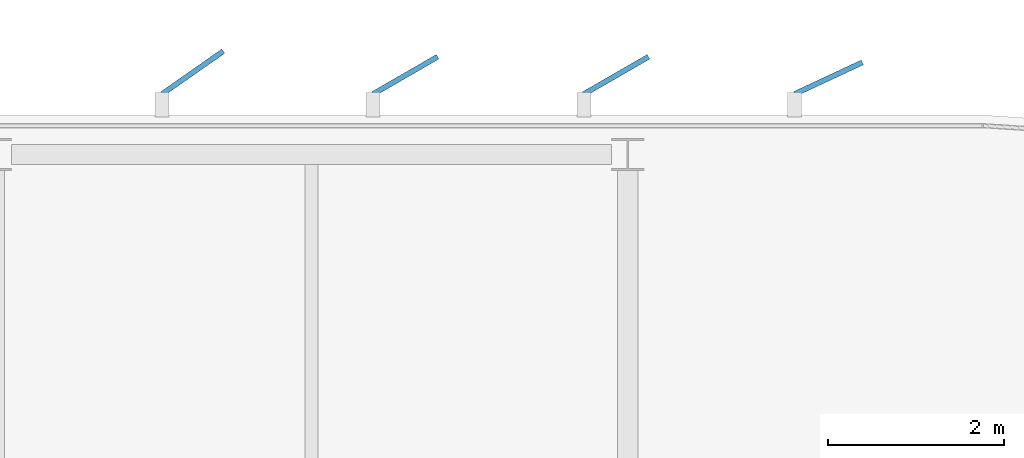
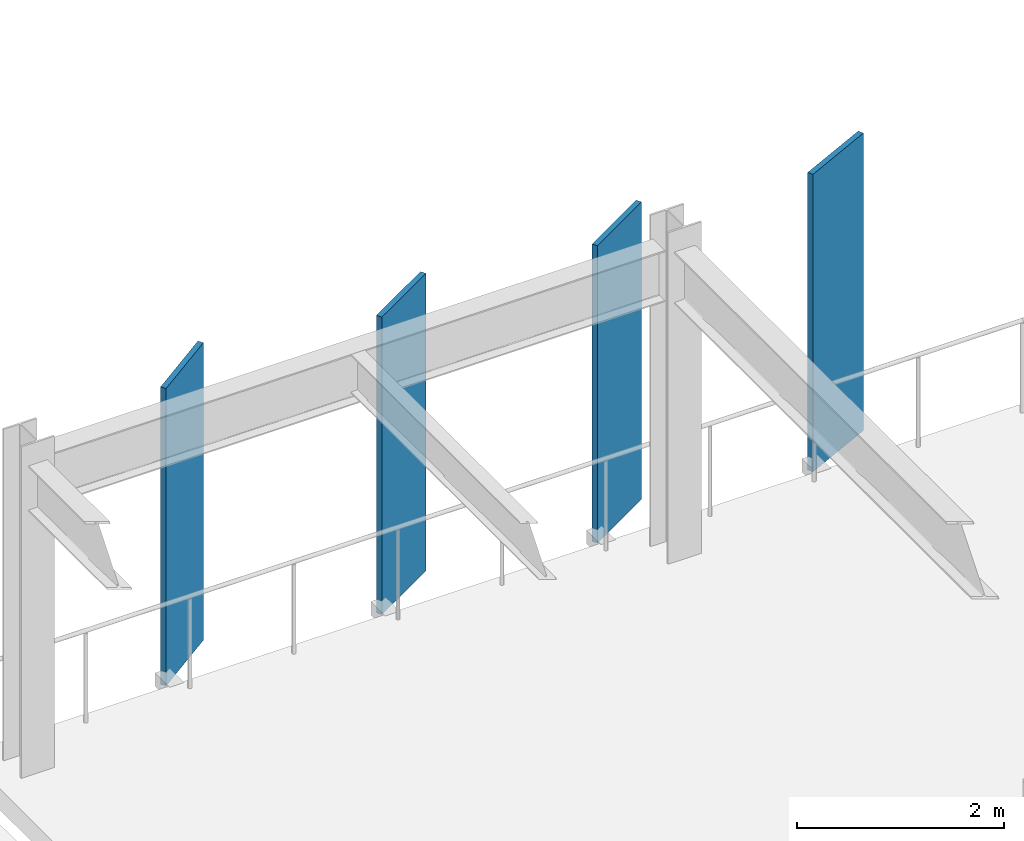
# One storey, part 42 of 80: 4 plates.
"""IFC4 building model written with IfcOpenShell, lengths in metres."""

import ifcopenshell
import ifcopenshell.guid

model = None  # the IFC model being written
_history = None  # IfcOwnerHistory: only IFC2X3 demands one
_inside = {}  # id of a spatial element -> (the spatial element, [elements in it])
_under = {}  # id of a project, library or spatial element -> (it, [spatial elements below it])
_declared = {}  # id of a project -> (the project, [libraries it declares])
_typed = {}  # id of a type object -> (the type object, [elements of that type])
_made_of = {}  # id of a material, layer set ... -> (it, [elements and type objects made of it])


def new_model(schema):
    """Start an empty IFC model of exactly this schema.

    Asked for "IFC4X3", IfcOpenShell would pick the latest addendum, in which some entities
    have other attributes; the version numbers below select the first issue.
    IFC2X3 requires an IfcOwnerHistory on every rooted entity: one is made here for all.
    """
    global model, _history
    if schema == "IFC4X3":
        model = ifcopenshell.file(schema_version=(4, 3, 0, 0))
    else:
        model = ifcopenshell.file(schema=schema)
    _inside.clear()
    _under.clear()
    _declared.clear()
    _typed.clear()
    _made_of.clear()
    _history = None
    if model.schema == "IFC2X3":
        org = make("IfcOrganization", Name="unknown")
        user = make(
            "IfcPersonAndOrganization",
            ThePerson=make("IfcPerson", FamilyName="unknown"),
            TheOrganization=org,
        )
        app = make(
            "IfcApplication",
            ApplicationDeveloper=org,
            Version="unknown",
            ApplicationFullName="unknown",
            ApplicationIdentifier="unknown",
        )
        _history = make(
            "IfcOwnerHistory",
            OwningUser=user,
            OwningApplication=app,
            ChangeAction="ADDED",
            CreationDate=0,
        )
    return model


def make(cls, **values):
    """One entity of the class cls with the attributes given. An attribute that is None is left unset."""
    return model.create_entity(
        cls, **{name: value for name, value in values.items() if value is not None}
    )


def rooted(cls, **values):
    """An entity with a GlobalId (a new one), such as an element, a storey or a relation."""
    return make(cls, GlobalId=ifcopenshell.guid.new(), OwnerHistory=_history, **values)


def si_unit(unit_type, name, prefix=None):
    """IfcSIUnit, for example si_unit("LENGTHUNIT", "METRE", prefix="MILLI")."""
    return make("IfcSIUnit", UnitType=unit_type, Prefix=prefix, Name=name)


def assignment(units):
    """IfcUnitAssignment: the units of a project."""
    return None if units is None else make("IfcUnitAssignment", Units=units)


def point(xyz):
    """IfcCartesianPoint."""
    return None if xyz is None else make("IfcCartesianPoint", Coordinates=xyz)


def direction(xyz):
    """IfcDirection."""
    return None if xyz is None else make("IfcDirection", DirectionRatios=xyz)


def frame(location, z_axis=None, x_axis=None):
    """IfcAxis2Placement3D, a coordinate frame: its origin and axes. An axis left out is left unset."""
    return make(
        "IfcAxis2Placement3D",
        Location=point(location),
        Axis=direction(z_axis),
        RefDirection=direction(x_axis),
    )


def frame_2d(location, x_axis=None):
    """IfcAxis2Placement2D, a coordinate frame in the plane: its origin and x axis."""
    return make(
        "IfcAxis2Placement2D", Location=point(location), RefDirection=direction(x_axis)
    )


def origin():
    """The frame at (0, 0, 0) with its axes left unset."""
    return frame((0.0, 0.0, 0.0))


def origin_2d():
    """The frame at (0, 0) in the plane with its x axis left unset."""
    return frame_2d((0.0, 0.0))


def place(relative_to, where):
    """IfcLocalPlacement: puts the frame where relative to a parent placement (None: the world)."""
    return make(
        "IfcLocalPlacement", PlacementRelTo=relative_to, RelativePlacement=where
    )


def context(
    kind, dimensions, precision=None, world=None, true_north=None, identifier=None
):
    """IfcGeometricRepresentationContext, for example the 3D "Model" context."""
    return make(
        "IfcGeometricRepresentationContext",
        ContextIdentifier=identifier,
        ContextType=kind,
        CoordinateSpaceDimension=dimensions,
        Precision=precision,
        WorldCoordinateSystem=world,
        TrueNorth=true_north,
    )


def subcontext(parent, identifier, kind, view, scale=None):
    """IfcGeometricRepresentationSubContext, for example "Body" below "Model"."""
    return make(
        "IfcGeometricRepresentationSubContext",
        ContextIdentifier=identifier,
        ContextType=kind,
        ParentContext=parent,
        TargetScale=scale,
        TargetView=view,
    )


def project(units=None, contexts=None):
    """IfcProject with its units and contexts."""
    return rooted(
        "IfcProject",
        Name="project",
        RepresentationContexts=contexts,
        UnitsInContext=assignment(units),
    )


def spatial(cls, under=None, at=None, **own):
    """A site, building, storey or space (cls), placed at a placement, below another one or the project."""
    s = rooted(cls, ObjectPlacement=at, **own)
    if under is not None:
        _under.setdefault(under.id(), (under, []))[1].append(s)
    return s


def profile(cls, at=None, kind="AREA", **sizes):
    """A parametric profile (cls). Its sizes go by their IFC names, for example OverallWidth=200.0."""
    return make(cls, ProfileType=kind, Position=at, **sizes)


def rectangle(**sizes):
    """IfcRectangleProfileDef."""
    return profile("IfcRectangleProfileDef", **sizes)


def extrude(swept, where, along, depth):
    """IfcExtrudedAreaSolid: the profile swept, set in the frame where, extruded along a direction by depth."""
    return make(
        "IfcExtrudedAreaSolid",
        SweptArea=swept,
        Position=where,
        ExtrudedDirection=direction(along),
        Depth=depth,
    )


def shape(context_of_items, identifier, shape_type, items):
    """IfcShapeRepresentation: the items that make up one representation, for example the "Body"."""
    return make(
        "IfcShapeRepresentation",
        ContextOfItems=context_of_items,
        RepresentationIdentifier=identifier,
        RepresentationType=shape_type,
        Items=items,
    )


def material(Name=None, Category=None):
    """IfcMaterial."""
    return make("IfcMaterial", Name=Name, Category=Category)


def layer(
    of_material, thickness, ventilated=None, Name=None, Category=None, Priority=None
):
    """IfcMaterialLayer: one layer of a wall or slab, of a material (None: an air gap)."""
    return make(
        "IfcMaterialLayer",
        Material=of_material,
        LayerThickness=thickness,
        IsVentilated=ventilated,
        Name=Name,
        Category=Category,
        Priority=Priority,
    )


def layer_set(layers, Name=None):
    """IfcMaterialLayerSet."""
    return make("IfcMaterialLayerSet", MaterialLayers=layers, LayerSetName=Name)


def made_of(thing, what):
    """Note that an element or type object is made of a material, layer set ...; save() writes the relation."""
    if what is not None:
        _made_of.setdefault(what.id(), (what, []))[1].append(thing)
    return thing


def type_object(cls, material=None, **own):
    """A type object (cls), such as IfcWallType, which elements share."""
    return made_of(rooted(cls, **own), material)


def element(
    cls,
    number,
    at=None,
    inside=None,
    cuts=None,
    type_object=None,
    material=None,
    context=None,
    identifier="Body",
    shape_type=None,
    held_by="IfcProductDefinitionShape",
    body=None,
    shapes=None,
    **own,
):
    """One element of the class cls, such as IfcWall. Its Tag is "e" and its number.

    at: its placement. inside: the storey or other place that contains it. cuts: it is an
    opening in that element (IfcRelVoidsElement). A single representation is given by context,
    identifier, shape_type and body (its items); several are given by shapes. held_by: the class
    of the entity that holds the representations. save() writes the other relations.
    """
    e = rooted(cls, Tag="e%d" % number, ObjectPlacement=at, **own)
    if body is not None:
        shapes = [shape(context, identifier, shape_type, body)]
    if shapes is not None:
        e.Representation = make(held_by, Representations=shapes)
    if inside is not None:
        _inside.setdefault(inside.id(), (inside, []))[1].append(e)
    if cuts is not None:
        rooted(
            "IfcRelVoidsElement", RelatingBuildingElement=cuts, RelatedOpeningElement=e
        )
    if type_object is not None:
        _typed.setdefault(type_object.id(), (type_object, []))[1].append(e)
    return made_of(e, material)


def aggregate(whole, parts):
    """IfcRelAggregates: a whole, such as a stair, and the parts it consists of."""
    return rooted("IfcRelAggregates", RelatingObject=whole, RelatedObjects=parts)


def save(model, path):
    """Write the relations noted so far, then the file.

    IfcRelAggregates (storeys below a building ...), IfcRelContainedInSpatialStructure (elements
    in a storey), IfcRelDefinesByType, IfcRelAssociatesMaterial and IfcRelDeclares: one each for
    every whole, place, type object, material and project.
    """
    for whole, parts in _under.values():
        aggregate(whole, parts)
    for where, things in _inside.values():
        rooted(
            "IfcRelContainedInSpatialStructure",
            RelatedElements=things,
            RelatingStructure=where,
        )
    for kind, things in _typed.values():
        rooted("IfcRelDefinesByType", RelatedObjects=things, RelatingType=kind)
    for what, things in _made_of.values():
        rooted("IfcRelAssociatesMaterial", RelatedObjects=things, RelatingMaterial=what)
    for by, libraries in _declared.values():
        rooted("IfcRelDeclares", RelatingContext=by, RelatedDefinitions=libraries)
    model.write(path)


model = new_model("IFC4")

# Units and contexts
model_context = context("Model", 3, precision=1e-05, world=origin(), true_north=direction((0.0, 1.0)))
body_context = subcontext(model_context, "Body", "Model", "MODEL_VIEW")
ifc_project = project(units=[si_unit("LENGTHUNIT", "METRE"), si_unit("AREAUNIT", "SQUARE_METRE"), si_unit("VOLUMEUNIT", "CUBIC_METRE"), si_unit("PLANEANGLEUNIT", "RADIAN"), si_unit("MASSUNIT", "GRAM", prefix="KILO")], contexts=[model_context])

# Site, building, storey
site_placement = place(None, origin())
site = spatial("IfcSite", under=ifc_project, at=site_placement, CompositionType="ELEMENT")
building_placement = place(site_placement, origin())
building = spatial("IfcBuilding", under=site, at=building_placement, Name="Vaelcorin Mobility Hub", CompositionType="ELEMENT")
storey_placement = place(building_placement, frame((0.0, 0.0, 9.300048828125)))
storey = spatial("IfcBuildingStorey", under=building, at=storey_placement, Name="L02", CompositionType="ELEMENT", Elevation=9.300048828125)

# Plates
ifc_material = material(Name="Perforated terracotta-bronze aluminium aerofoil", Category="masonry")
ifc_layer = layer(ifc_material, 0.06005859375)
ifc_layer_set = layer_set([ifc_layer], Name="Perforated terracotta-bronze aluminium aerofoil")
plate_type = type_object("IfcPlateType", Name="PL-FIN-AF1", PredefinedType="SHEET", material=ifc_layer_set)
for number, where, z_axis, x_axis, name in (
    (1, (125.847900390625, 120.93408203125, -0.16015625), (0.0, 0.0, 1.0), (0.819152044289, 0.573576436351, 0.0), "Rotating Terracotta-Bronze Aerofoil Fin FIN-V2E-L02-N-AF-01"),
    (2, (128.26806640625, 120.902099609375, -0.16015625), (0.0, 0.0, 1.0), (0.866025403784, 0.5, 0.0), "Rotating Terracotta-Bronze Aerofoil Fin FIN-V2E-L02-N-AF-02"),
    (3, (130.66796875, 120.902099609375, -0.16015625), (0.0, 0.0, 1.0), (0.866025403784, 0.5, 0.0), "Rotating Terracotta-Bronze Aerofoil Fin FIN-V2E-L02-N-AF-03"),
    (4, (133.0849609375, 120.8701171875, -0.16015625), (0.0, 0.0, 1.0), (0.906307787037, 0.422618261741, 0.0), "Rotating Terracotta-Bronze Aerofoil Fin FIN-V2E-L02-N-AF-04"),
):
    element("IfcPlate", number, at=place(storey_placement, frame(where, z_axis=z_axis, x_axis=x_axis)), inside=storey, type_object=plate_type, Name=name, PredefinedType="SHEET", context=body_context, shape_type="SweptSolid", body=[
        extrude(rectangle(XDim=0.85009765625, YDim=0.06005859375, at=origin_2d()), origin(), (0.0, 0.0, 1.0), 3.5),
    ])

save(model, "model.ifc")
